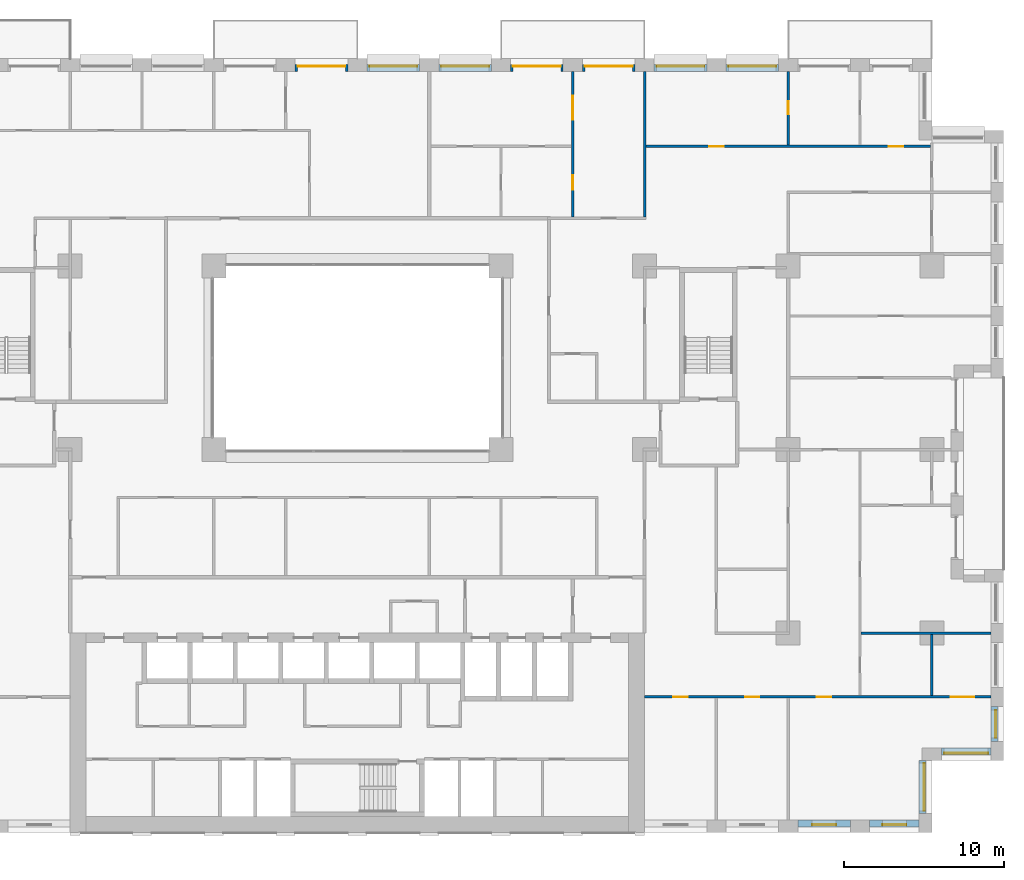
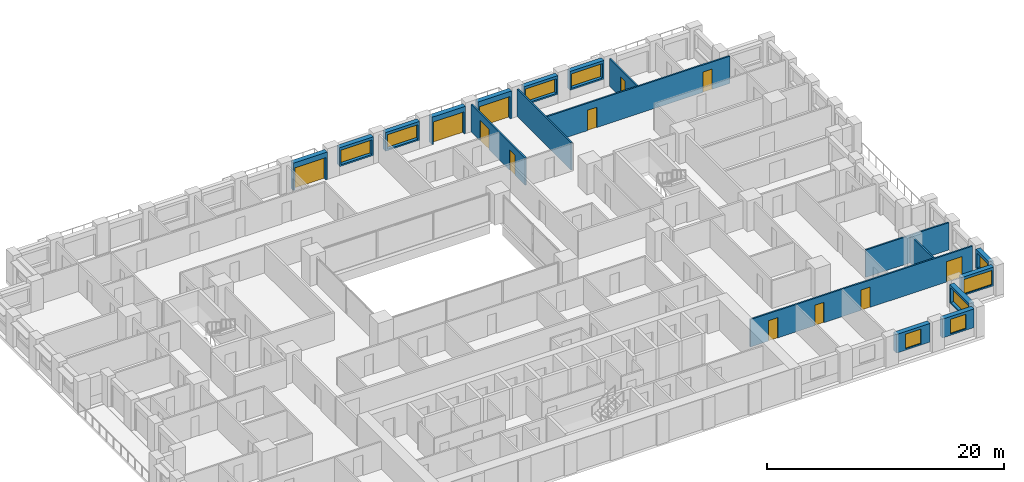
# One storey, part 16 of 20: 19 walls, 12 doors, 9 windows, 21 openings.
"""IFC4 building model written with IfcOpenShell, lengths in metres."""

import ifcopenshell
import ifcopenshell.guid

model = None  # the IFC model being written
_history = None  # IfcOwnerHistory: only IFC2X3 demands one
_inside = {}  # id of a spatial element -> (the spatial element, [elements in it])
_under = {}  # id of a project, library or spatial element -> (it, [spatial elements below it])
_declared = {}  # id of a project -> (the project, [libraries it declares])
_typed = {}  # id of a type object -> (the type object, [elements of that type])
_made_of = {}  # id of a material, layer set ... -> (it, [elements and type objects made of it])


def new_model(schema):
    """Start an empty IFC model of exactly this schema.

    Asked for "IFC4X3", IfcOpenShell would pick the latest addendum, in which some entities
    have other attributes; the version numbers below select the first issue.
    IFC2X3 requires an IfcOwnerHistory on every rooted entity: one is made here for all.
    """
    global model, _history
    if schema == "IFC4X3":
        model = ifcopenshell.file(schema_version=(4, 3, 0, 0))
    else:
        model = ifcopenshell.file(schema=schema)
    _inside.clear()
    _under.clear()
    _declared.clear()
    _typed.clear()
    _made_of.clear()
    _history = None
    if model.schema == "IFC2X3":
        org = make("IfcOrganization", Name="unknown")
        user = make(
            "IfcPersonAndOrganization",
            ThePerson=make("IfcPerson", FamilyName="unknown"),
            TheOrganization=org,
        )
        app = make(
            "IfcApplication",
            ApplicationDeveloper=org,
            Version="unknown",
            ApplicationFullName="unknown",
            ApplicationIdentifier="unknown",
        )
        _history = make(
            "IfcOwnerHistory",
            OwningUser=user,
            OwningApplication=app,
            ChangeAction="ADDED",
            CreationDate=0,
        )
    return model


def make(cls, **values):
    """One entity of the class cls with the attributes given. An attribute that is None is left unset."""
    return model.create_entity(
        cls, **{name: value for name, value in values.items() if value is not None}
    )


def rooted(cls, **values):
    """An entity with a GlobalId (a new one), such as an element, a storey or a relation."""
    return make(cls, GlobalId=ifcopenshell.guid.new(), OwnerHistory=_history, **values)


def si_unit(unit_type, name, prefix=None):
    """IfcSIUnit, for example si_unit("LENGTHUNIT", "METRE", prefix="MILLI")."""
    return make("IfcSIUnit", UnitType=unit_type, Prefix=prefix, Name=name)


def assignment(units):
    """IfcUnitAssignment: the units of a project."""
    return None if units is None else make("IfcUnitAssignment", Units=units)


def point(xyz):
    """IfcCartesianPoint."""
    return None if xyz is None else make("IfcCartesianPoint", Coordinates=xyz)


def direction(xyz):
    """IfcDirection."""
    return None if xyz is None else make("IfcDirection", DirectionRatios=xyz)


def frame(location, z_axis=None, x_axis=None):
    """IfcAxis2Placement3D, a coordinate frame: its origin and axes. An axis left out is left unset."""
    return make(
        "IfcAxis2Placement3D",
        Location=point(location),
        Axis=direction(z_axis),
        RefDirection=direction(x_axis),
    )


def frame_2d(location, x_axis=None):
    """IfcAxis2Placement2D, a coordinate frame in the plane: its origin and x axis."""
    return make(
        "IfcAxis2Placement2D", Location=point(location), RefDirection=direction(x_axis)
    )


def origin():
    """The frame at (0, 0, 0) with its axes left unset."""
    return frame((0.0, 0.0, 0.0))


def place(relative_to, where):
    """IfcLocalPlacement: puts the frame where relative to a parent placement (None: the world)."""
    return make(
        "IfcLocalPlacement", PlacementRelTo=relative_to, RelativePlacement=where
    )


def context(
    kind, dimensions, precision=None, world=None, true_north=None, identifier=None
):
    """IfcGeometricRepresentationContext, for example the 3D "Model" context."""
    return make(
        "IfcGeometricRepresentationContext",
        ContextIdentifier=identifier,
        ContextType=kind,
        CoordinateSpaceDimension=dimensions,
        Precision=precision,
        WorldCoordinateSystem=world,
        TrueNorth=true_north,
    )


def subcontext(parent, identifier, kind, view, scale=None):
    """IfcGeometricRepresentationSubContext, for example "Body" below "Model"."""
    return make(
        "IfcGeometricRepresentationSubContext",
        ContextIdentifier=identifier,
        ContextType=kind,
        ParentContext=parent,
        TargetScale=scale,
        TargetView=view,
    )


def project(units=None, contexts=None):
    """IfcProject with its units and contexts."""
    return rooted(
        "IfcProject",
        Name="project",
        RepresentationContexts=contexts,
        UnitsInContext=assignment(units),
    )


def spatial(cls, under=None, at=None, **own):
    """A site, building, storey or space (cls), placed at a placement, below another one or the project."""
    s = rooted(cls, ObjectPlacement=at, **own)
    if under is not None:
        _under.setdefault(under.id(), (under, []))[1].append(s)
    return s


def profile(cls, at=None, kind="AREA", **sizes):
    """A parametric profile (cls). Its sizes go by their IFC names, for example OverallWidth=200.0."""
    return make(cls, ProfileType=kind, Position=at, **sizes)


def rectangle(**sizes):
    """IfcRectangleProfileDef."""
    return profile("IfcRectangleProfileDef", **sizes)


def extrude(swept, where, along, depth):
    """IfcExtrudedAreaSolid: the profile swept, set in the frame where, extruded along a direction by depth."""
    return make(
        "IfcExtrudedAreaSolid",
        SweptArea=swept,
        Position=where,
        ExtrudedDirection=direction(along),
        Depth=depth,
    )


def shape(context_of_items, identifier, shape_type, items):
    """IfcShapeRepresentation: the items that make up one representation, for example the "Body"."""
    return make(
        "IfcShapeRepresentation",
        ContextOfItems=context_of_items,
        RepresentationIdentifier=identifier,
        RepresentationType=shape_type,
        Items=items,
    )


def material(Name=None, Category=None):
    """IfcMaterial."""
    return make("IfcMaterial", Name=Name, Category=Category)


def layer(
    of_material, thickness, ventilated=None, Name=None, Category=None, Priority=None
):
    """IfcMaterialLayer: one layer of a wall or slab, of a material (None: an air gap)."""
    return make(
        "IfcMaterialLayer",
        Material=of_material,
        LayerThickness=thickness,
        IsVentilated=ventilated,
        Name=Name,
        Category=Category,
        Priority=Priority,
    )


def layer_set(layers, Name=None):
    """IfcMaterialLayerSet."""
    return make("IfcMaterialLayerSet", MaterialLayers=layers, LayerSetName=Name)


def made_of(thing, what):
    """Note that an element or type object is made of a material, layer set ...; save() writes the relation."""
    if what is not None:
        _made_of.setdefault(what.id(), (what, []))[1].append(thing)
    return thing


def type_object(cls, material=None, **own):
    """A type object (cls), such as IfcWallType, which elements share."""
    return made_of(rooted(cls, **own), material)


def element(
    cls,
    number,
    at=None,
    inside=None,
    cuts=None,
    type_object=None,
    material=None,
    context=None,
    identifier="Body",
    shape_type=None,
    held_by="IfcProductDefinitionShape",
    body=None,
    shapes=None,
    **own,
):
    """One element of the class cls, such as IfcWall. Its Tag is "e" and its number.

    at: its placement. inside: the storey or other place that contains it. cuts: it is an
    opening in that element (IfcRelVoidsElement). A single representation is given by context,
    identifier, shape_type and body (its items); several are given by shapes. held_by: the class
    of the entity that holds the representations. save() writes the other relations.
    """
    e = rooted(cls, Tag="e%d" % number, ObjectPlacement=at, **own)
    if body is not None:
        shapes = [shape(context, identifier, shape_type, body)]
    if shapes is not None:
        e.Representation = make(held_by, Representations=shapes)
    if inside is not None:
        _inside.setdefault(inside.id(), (inside, []))[1].append(e)
    if cuts is not None:
        rooted(
            "IfcRelVoidsElement", RelatingBuildingElement=cuts, RelatedOpeningElement=e
        )
    if type_object is not None:
        _typed.setdefault(type_object.id(), (type_object, []))[1].append(e)
    return made_of(e, material)


def fill(opening, filler):
    """IfcRelFillsElement: the door or window that sits in an opening."""
    return rooted(
        "IfcRelFillsElement",
        RelatingOpeningElement=opening,
        RelatedBuildingElement=filler,
    )


def aggregate(whole, parts):
    """IfcRelAggregates: a whole, such as a stair, and the parts it consists of."""
    return rooted("IfcRelAggregates", RelatingObject=whole, RelatedObjects=parts)


def save(model, path):
    """Write the relations noted so far, then the file.

    IfcRelAggregates (storeys below a building ...), IfcRelContainedInSpatialStructure (elements
    in a storey), IfcRelDefinesByType, IfcRelAssociatesMaterial and IfcRelDeclares: one each for
    every whole, place, type object, material and project.
    """
    for whole, parts in _under.values():
        aggregate(whole, parts)
    for where, things in _inside.values():
        rooted(
            "IfcRelContainedInSpatialStructure",
            RelatedElements=things,
            RelatingStructure=where,
        )
    for kind, things in _typed.values():
        rooted("IfcRelDefinesByType", RelatedObjects=things, RelatingType=kind)
    for what, things in _made_of.values():
        rooted("IfcRelAssociatesMaterial", RelatedObjects=things, RelatingMaterial=what)
    for by, libraries in _declared.values():
        rooted("IfcRelDeclares", RelatingContext=by, RelatedDefinitions=libraries)
    model.write(path)


model = new_model("IFC4")

# Units and contexts
model_context = context("Model", 3, precision=1e-05, world=origin(), true_north=direction((0.0, 1.0)))
body_context = subcontext(model_context, "Body", "Model", "MODEL_VIEW")
ifc_project = project(units=[si_unit("LENGTHUNIT", "METRE"), si_unit("AREAUNIT", "SQUARE_METRE"), si_unit("VOLUMEUNIT", "CUBIC_METRE"), si_unit("PLANEANGLEUNIT", "RADIAN"), si_unit("MASSUNIT", "GRAM", prefix="KILO")], contexts=[model_context])

# Site, building, storey
site_placement = place(None, origin())
site = spatial("IfcSite", under=ifc_project, at=site_placement, CompositionType="ELEMENT")
building_placement = place(site_placement, origin())
building = spatial("IfcBuilding", under=site, at=building_placement, Name="Brigalow Station Residences", CompositionType="ELEMENT")
storey_placement = place(building_placement, frame((0.0, 0.0, 41.550048828125)))
storey = spatial("IfcBuildingStorey", under=building, at=storey_placement, Name="L11", CompositionType="ELEMENT", Elevation=41.550048828125)

# Wall, opening, window
ifc_material_1 = material(Name="Clay brick masonry", Category="masonry")
ifc_layer_1 = layer(ifc_material_1, 0.449951171875)
ifc_layer_set_1 = layer_set([ifc_layer_1], Name="BRICK INFILL WALL 450")
wall_type_1 = type_object("IfcWallType", Name="BRICK INFILL WALL 450", PredefinedType="SOLIDWALL", material=ifc_layer_set_1)
wall_1_placement = place(storey_placement, frame((63.60009765625, 0.574951171875, 0.89990234375), z_axis=(0.0, 0.0, 1.0), x_axis=(1.0, 0.0, 0.0)))
wall_1 = element("IfcWall", 1, at=wall_1_placement, inside=storey, type_object=wall_type_1, Name="L11/ewall/W-L11-7", PredefinedType="SOLIDWALL", context=body_context, shape_type="SweptSolid", body=[
    extrude(rectangle(XDim=3.2998046875, YDim=0.449951171875, at=frame_2d((1.64990234375, 0.0))), origin(), (0.0, 0.0, 1.0), 1.929931640625),
])
opening_1_placement = place(wall_1_placement, frame((0.89990234375, 0.0, 0.14990234375)))
opening_1 = element("IfcOpeningElement", 2, at=opening_1_placement, cuts=wall_1, Name="Opening WT-1", PredefinedType="OPENING", context=body_context, shape_type="SweptSolid", body=[
    extrude(rectangle(XDim=1.5, YDim=1.5, at=frame_2d((0.75, 0.75))), frame((0.0, 0.23486328125, 0.0), z_axis=(0.0, -1.0, 0.0), x_axis=(1.0, 0.0, 0.0)), (0.0, 0.0, 1.0), 0.469970703125),
])
ifc_material_2 = material(Name="Anodised aluminium frame with double glazing", Category="aluminium")
window_type_1 = type_object("IfcWindowType", Name="WINDOW 1500x1500", PartitioningType="SINGLE_PANEL", PredefinedType="WINDOW", material=ifc_material_2)
window_1_placement = place(opening_1_placement, origin())
window_1 = element("IfcWindow", 3, at=window_1_placement, inside=storey, type_object=window_type_1, Name="L11/window/W-L11-7", OverallHeight=1.5, OverallWidth=1.5, PartitioningType="SINGLE_PANEL", PredefinedType="WINDOW", context=body_context, shape_type="SweptSolid", body=[
    extrude(rectangle(XDim=1.5, YDim=1.5, at=frame_2d((0.75, 0.75))), frame((0.0, -0.06494140625, 0.0), z_axis=(0.0, -1.0, 0.0), x_axis=(1.0, 0.0, 0.0)), (0.0, 0.0, 1.0), 0.06005859375),
])
fill(opening_1, window_1)

wall_2_placement = place(storey_placement, frame((68.10009765625, 0.574951171875, 0.89990234375), z_axis=(0.0, 0.0, 1.0), x_axis=(1.0, 0.0, 0.0)))
wall_2 = element("IfcWall", 4, at=wall_2_placement, inside=storey, type_object=wall_type_1, Name="L11/ewall/W-L11-8", PredefinedType="SOLIDWALL", context=body_context, shape_type="SweptSolid", body=[
    extrude(rectangle(XDim=3.099853515625, YDim=0.449951171875, at=frame_2d((1.5498046875, 0.0))), origin(), (0.0, 0.0, 1.0), 1.929931640625),
])
opening_2_placement = place(wall_2_placement, frame((0.800048828125, 0.0, 0.14990234375)))
opening_2 = element("IfcOpeningElement", 5, at=opening_2_placement, cuts=wall_2, Name="Opening WT-1", PredefinedType="OPENING", context=body_context, shape_type="SweptSolid", body=[
    extrude(rectangle(XDim=1.5, YDim=1.5, at=frame_2d((0.75, 0.75))), frame((0.0, 0.23486328125, 0.0), z_axis=(0.0, -1.0, 0.0), x_axis=(1.0, 0.0, 0.0)), (0.0, 0.0, 1.0), 0.469970703125),
])
window_2_placement = place(opening_2_placement, origin())
window_2 = element("IfcWindow", 6, at=window_2_placement, inside=storey, type_object=window_type_1, Name="L11/window/W-L11-8", OverallHeight=1.5, OverallWidth=1.5, PartitioningType="SINGLE_PANEL", PredefinedType="WINDOW", context=body_context, shape_type="SweptSolid", body=[
    extrude(rectangle(XDim=1.5, YDim=1.5, at=frame_2d((0.75, 0.75))), frame((0.0, -0.06494140625, 0.0), z_axis=(0.0, -1.0, 0.0), x_axis=(1.0, 0.0, 0.0)), (0.0, 0.0, 1.0), 0.06005859375),
])
fill(opening_2, window_2)

wall_3_placement = place(storey_placement, frame((71.425048828125, 1.199951171875, 0.89990234375), z_axis=(0.0, 0.0, 1.0), x_axis=(0.0, 1.0, 0.0)))
wall_3 = element("IfcWall", 7, at=wall_3_placement, inside=storey, type_object=wall_type_1, Name="L11/ewall/W-L11-9", PredefinedType="SOLIDWALL", context=body_context, shape_type="SweptSolid", body=[
    extrude(rectangle(XDim=3.300048828125, YDim=0.449951171875, at=frame_2d((1.64990234375, 0.0))), origin(), (0.0, 0.0, 1.0), 1.929931640625),
])
opening_3_placement = place(wall_3_placement, frame((0.14990234375, 0.0, 0.14990234375)))
opening_3 = element("IfcOpeningElement", 8, at=opening_3_placement, cuts=wall_3, Name="Opening WT-2", PredefinedType="OPENING", context=body_context, shape_type="SweptSolid", body=[
    extrude(rectangle(XDim=3.0, YDim=1.5, at=frame_2d((1.5, 0.75))), frame((0.0, 0.23486328125, 0.0), z_axis=(0.0, -1.0, 0.0), x_axis=(1.0, 0.0, 0.0)), (0.0, 0.0, 1.0), 0.469970703125),
])
ifc_material_3 = material(Name="Anodised aluminium frame with double glazing", Category="aluminium")
window_type_2 = type_object("IfcWindowType", Name="WINDOW 3000x1500", PartitioningType="SINGLE_PANEL", PredefinedType="WINDOW", material=ifc_material_3)
window_3_placement = place(opening_3_placement, origin())
window_3 = element("IfcWindow", 9, at=window_3_placement, inside=storey, type_object=window_type_2, Name="L11/window/W-L11-9", OverallHeight=1.5, OverallWidth=3.0, PartitioningType="SINGLE_PANEL", PredefinedType="WINDOW", context=body_context, shape_type="SweptSolid", body=[
    extrude(rectangle(XDim=3.0, YDim=1.5, at=frame_2d((1.5, 0.75))), frame((0.0, -0.06494140625, 0.0), z_axis=(0.0, -1.0, 0.0), x_axis=(1.0, 0.0, 0.0)), (0.0, 0.0, 1.0), 0.06005859375),
])
fill(opening_3, window_3)

wall_4_placement = place(storey_placement, frame((72.60009765625, 5.074951171875, 0.89990234375), z_axis=(0.0, 0.0, 1.0), x_axis=(1.0, 0.0, 0.0)))
wall_4 = element("IfcWall", 10, at=wall_4_placement, inside=storey, type_object=wall_type_1, Name="L11/ewall/W-L11-10", PredefinedType="SOLIDWALL", context=body_context, shape_type="SweptSolid", body=[
    extrude(rectangle(XDim=3.099853515625, YDim=0.449951171875, at=frame_2d((1.5498046875, 0.0))), origin(), (0.0, 0.0, 1.0), 1.929931640625),
])
opening_4_placement = place(wall_4_placement, frame((0.175048828125, 0.0, 0.14990234375)))
opening_4 = element("IfcOpeningElement", 11, at=opening_4_placement, cuts=wall_4, Name="Opening WT-3", PredefinedType="OPENING", context=body_context, shape_type="SweptSolid", body=[
    extrude(rectangle(XDim=2.75, YDim=1.5, at=frame_2d((1.375, 0.75))), frame((0.0, 0.23486328125, 0.0), z_axis=(0.0, -1.0, 0.0), x_axis=(1.0, 0.0, 0.0)), (0.0, 0.0, 1.0), 0.469970703125),
])
ifc_material_4 = material(Name="Anodised aluminium frame with double glazing", Category="aluminium")
window_type_3 = type_object("IfcWindowType", Name="WINDOW 2750x1500", PartitioningType="SINGLE_PANEL", PredefinedType="WINDOW", material=ifc_material_4)
window_4_placement = place(opening_4_placement, origin())
window_4 = element("IfcWindow", 12, at=window_4_placement, inside=storey, type_object=window_type_3, Name="L11/window/W-L11-10", OverallHeight=1.5, OverallWidth=2.75, PartitioningType="SINGLE_PANEL", PredefinedType="WINDOW", context=body_context, shape_type="SweptSolid", body=[
    extrude(rectangle(XDim=2.75, YDim=1.5, at=frame_2d((1.375, 0.75))), frame((0.0, -0.06494140625, 0.0), z_axis=(0.0, -1.0, 0.0), x_axis=(1.0, 0.0, 0.0)), (0.0, 0.0, 1.0), 0.06005859375),
])
fill(opening_4, window_4)

wall_5_placement = place(storey_placement, frame((75.925048828125, 5.699951171875, 0.89990234375), z_axis=(0.0, 0.0, 1.0), x_axis=(0.0, 1.0, 0.0)))
wall_5 = element("IfcWall", 13, at=wall_5_placement, inside=storey, type_object=wall_type_1, Name="L11/ewall/W-L11-11", PredefinedType="SOLIDWALL", context=body_context, shape_type="SweptSolid", body=[
    extrude(rectangle(XDim=2.199951171875, YDim=0.449951171875, at=frame_2d((1.10009765625, 0.0))), origin(), (0.0, 0.0, 1.0), 1.929931640625),
])
opening_5_placement = place(wall_5_placement, frame((0.22509765625, 0.0, 0.14990234375)))
opening_5 = element("IfcOpeningElement", 14, at=opening_5_placement, cuts=wall_5, Name="Opening WT-4", PredefinedType="OPENING", context=body_context, shape_type="SweptSolid", body=[
    extrude(rectangle(XDim=1.75, YDim=1.5, at=frame_2d((0.875, 0.75))), frame((0.0, 0.23486328125, 0.0), z_axis=(0.0, -1.0, 0.0), x_axis=(1.0, 0.0, 0.0)), (0.0, 0.0, 1.0), 0.469970703125),
])
ifc_material_5 = material(Name="Anodised aluminium frame with double glazing", Category="aluminium")
window_type_4 = type_object("IfcWindowType", Name="WINDOW 1750x1500", PartitioningType="SINGLE_PANEL", PredefinedType="WINDOW", material=ifc_material_5)
window_5_placement = place(opening_5_placement, origin())
window_5 = element("IfcWindow", 15, at=window_5_placement, inside=storey, type_object=window_type_4, Name="L11/window/W-L11-11", OverallHeight=1.5, OverallWidth=1.75, PartitioningType="SINGLE_PANEL", PredefinedType="WINDOW", context=body_context, shape_type="SweptSolid", body=[
    extrude(rectangle(XDim=1.75, YDim=1.5, at=frame_2d((0.875, 0.75))), frame((0.0, -0.06494140625, 0.0), z_axis=(0.0, -1.0, 0.0), x_axis=(1.0, 0.0, 0.0)), (0.0, 0.0, 1.0), 0.06005859375),
])
fill(opening_5, window_5)

wall_6_placement = place(storey_placement, frame((62.39990234375, 47.925048828125, 0.89990234375), z_axis=(0.0, 0.0, 1.0), x_axis=(-1.0, 0.0, 0.0)))
wall_6 = element("IfcWall", 16, at=wall_6_placement, inside=storey, type_object=wall_type_1, Name="L11/ewall/W-L11-27", PredefinedType="SOLIDWALL", context=body_context, shape_type="SweptSolid", body=[
    extrude(rectangle(XDim=3.2998046875, YDim=0.449951171875, at=frame_2d((1.64990234375, 0.0))), origin(), (0.0, 0.0, 1.0), 1.929931640625),
])
opening_6_placement = place(wall_6_placement, frame((0.14990234375, 0.0, 0.14990234375)))
opening_6 = element("IfcOpeningElement", 17, at=opening_6_placement, cuts=wall_6, Name="Opening WT-2", PredefinedType="OPENING", context=body_context, shape_type="SweptSolid", body=[
    extrude(rectangle(XDim=3.0, YDim=1.5, at=frame_2d((1.5, 0.75))), frame((0.0, 0.23486328125, 0.0), z_axis=(0.0, -1.0, 0.0), x_axis=(1.0, 0.0, 0.0)), (0.0, 0.0, 1.0), 0.469970703125),
])
window_6_placement = place(opening_6_placement, origin())
window_6 = element("IfcWindow", 18, at=window_6_placement, inside=storey, type_object=window_type_2, Name="L11/window/W-L11-27", OverallHeight=1.5, OverallWidth=3.0, PartitioningType="SINGLE_PANEL", PredefinedType="WINDOW", context=body_context, shape_type="SweptSolid", body=[
    extrude(rectangle(XDim=3.0, YDim=1.5, at=frame_2d((1.5, 0.75))), frame((0.0, -0.06494140625, 0.0), z_axis=(0.0, -1.0, 0.0), x_axis=(1.0, 0.0, 0.0)), (0.0, 0.0, 1.0), 0.06005859375),
])
fill(opening_6, window_6)

wall_7_placement = place(storey_placement, frame((57.89990234375, 47.925048828125, 0.89990234375), z_axis=(0.0, 0.0, 1.0), x_axis=(-1.0, 0.0, 0.0)))
wall_7 = element("IfcWall", 19, at=wall_7_placement, inside=storey, type_object=wall_type_1, Name="L11/ewall/W-L11-28", PredefinedType="SOLIDWALL", context=body_context, shape_type="SweptSolid", body=[
    extrude(rectangle(XDim=3.2998046875, YDim=0.449951171875, at=frame_2d((1.64990234375, 0.0))), origin(), (0.0, 0.0, 1.0), 1.929931640625),
])
opening_7_placement = place(wall_7_placement, frame((0.14990234375, 0.0, 0.14990234375)))
opening_7 = element("IfcOpeningElement", 20, at=opening_7_placement, cuts=wall_7, Name="Opening WT-2", PredefinedType="OPENING", context=body_context, shape_type="SweptSolid", body=[
    extrude(rectangle(XDim=3.0, YDim=1.5, at=frame_2d((1.5, 0.75))), frame((0.0, 0.23486328125, 0.0), z_axis=(0.0, -1.0, 0.0), x_axis=(1.0, 0.0, 0.0)), (0.0, 0.0, 1.0), 0.469970703125),
])
window_7_placement = place(opening_7_placement, origin())
window_7 = element("IfcWindow", 21, at=window_7_placement, inside=storey, type_object=window_type_2, Name="L11/window/W-L11-28", OverallHeight=1.5, OverallWidth=3.0, PartitioningType="SINGLE_PANEL", PredefinedType="WINDOW", context=body_context, shape_type="SweptSolid", body=[
    extrude(rectangle(XDim=3.0, YDim=1.5, at=frame_2d((1.5, 0.75))), frame((0.0, -0.06494140625, 0.0), z_axis=(0.0, -1.0, 0.0), x_axis=(1.0, 0.0, 0.0)), (0.0, 0.0, 1.0), 0.06005859375),
])
fill(opening_7, window_7)

# Wall, opening, door
wall_8_placement = place(storey_placement, frame((53.39990234375, 47.925048828125, 0.0), z_axis=(0.0, 0.0, 1.0), x_axis=(-1.0, 0.0, 0.0)))
wall_8 = element("IfcWall", 22, at=wall_8_placement, inside=storey, type_object=wall_type_1, Name="L11/ewall/W-L11-29", PredefinedType="SOLIDWALL", context=body_context, shape_type="SweptSolid", body=[
    extrude(rectangle(XDim=3.2998046875, YDim=0.449951171875, at=frame_2d((1.64990234375, 0.0))), origin(), (0.0, 0.0, 1.0), 2.829833984375),
])
opening_8_placement = place(wall_8_placement, frame((0.14990234375, 0.0, 0.0)))
opening_8 = element("IfcOpeningElement", 23, at=opening_8_placement, cuts=wall_8, Name="Opening D-B3000", PredefinedType="OPENING", context=body_context, shape_type="SweptSolid", body=[
    extrude(rectangle(XDim=3.0, YDim=2.300048828125, at=frame_2d((1.5, 1.14990234375))), frame((0.0, 0.23486328125, 0.0), z_axis=(0.0, -1.0, 0.0), x_axis=(1.0, 0.0, 0.0)), (0.0, 0.0, 1.0), 0.469970703125),
])
ifc_material_6 = material(Name="Anodised aluminium frame with double glazing", Category="aluminium")
door_type_1 = type_object("IfcDoorType", Name="BALCONY SLIDING DOOR 3000x2300", OperationType="SLIDING_TO_LEFT", PredefinedType="DOOR", material=ifc_material_6)
door_1_placement = place(opening_8_placement, origin())
door_1 = element("IfcDoor", 24, at=door_1_placement, inside=storey, type_object=door_type_1, Name="L11/balcony-door/W-L11-29", OperationType="SLIDING_TO_LEFT", OverallHeight=2.300048828125, OverallWidth=3.0, PredefinedType="DOOR", context=body_context, shape_type="SweptSolid", body=[
    extrude(rectangle(XDim=3.0, YDim=2.300048828125, at=frame_2d((1.5, 1.14990234375))), frame((0.0, -0.06982421875, 0.0), z_axis=(0.0, -1.0, 0.0), x_axis=(1.0, 0.0, 0.0)), (0.0, 0.0, 1.0), 0.050048828125),
])
fill(opening_8, door_1)

wall_9_placement = place(storey_placement, frame((48.89990234375, 47.925048828125, 0.0), z_axis=(0.0, 0.0, 1.0), x_axis=(-1.0, 0.0, 0.0)))
wall_9 = element("IfcWall", 25, at=wall_9_placement, inside=storey, type_object=wall_type_1, Name="L11/ewall/W-L11-30", PredefinedType="SOLIDWALL", context=body_context, shape_type="SweptSolid", body=[
    extrude(rectangle(XDim=3.2998046875, YDim=0.449951171875, at=frame_2d((1.64990234375, 0.0))), origin(), (0.0, 0.0, 1.0), 2.829833984375),
])
opening_9_placement = place(wall_9_placement, frame((0.14990234375, 0.0, 0.0)))
opening_9 = element("IfcOpeningElement", 26, at=opening_9_placement, cuts=wall_9, Name="Opening D-B3000", PredefinedType="OPENING", context=body_context, shape_type="SweptSolid", body=[
    extrude(rectangle(XDim=3.0, YDim=2.300048828125, at=frame_2d((1.5, 1.14990234375))), frame((0.0, 0.23486328125, 0.0), z_axis=(0.0, -1.0, 0.0), x_axis=(1.0, 0.0, 0.0)), (0.0, 0.0, 1.0), 0.469970703125),
])
door_2_placement = place(opening_9_placement, origin())
door_2 = element("IfcDoor", 27, at=door_2_placement, inside=storey, type_object=door_type_1, Name="L11/balcony-door/W-L11-30", OperationType="SLIDING_TO_LEFT", OverallHeight=2.300048828125, OverallWidth=3.0, PredefinedType="DOOR", context=body_context, shape_type="SweptSolid", body=[
    extrude(rectangle(XDim=3.0, YDim=2.300048828125, at=frame_2d((1.5, 1.14990234375))), frame((0.0, -0.06982421875, 0.0), z_axis=(0.0, -1.0, 0.0), x_axis=(1.0, 0.0, 0.0)), (0.0, 0.0, 1.0), 0.050048828125),
])
fill(opening_9, door_2)

# Wall, opening, window
wall_10_placement = place(storey_placement, frame((44.39990234375, 47.925048828125, 0.89990234375), z_axis=(0.0, 0.0, 1.0), x_axis=(-1.0, 0.0, 0.0)))
wall_10 = element("IfcWall", 28, at=wall_10_placement, inside=storey, type_object=wall_type_1, Name="L11/ewall/W-L11-31", PredefinedType="SOLIDWALL", context=body_context, shape_type="SweptSolid", body=[
    extrude(rectangle(XDim=3.2998046875, YDim=0.449951171875, at=frame_2d((1.64990234375, 0.0))), origin(), (0.0, 0.0, 1.0), 1.929931640625),
])
opening_10_placement = place(wall_10_placement, frame((0.14990234375, 0.0, 0.14990234375)))
opening_10 = element("IfcOpeningElement", 29, at=opening_10_placement, cuts=wall_10, Name="Opening WT-2", PredefinedType="OPENING", context=body_context, shape_type="SweptSolid", body=[
    extrude(rectangle(XDim=3.0, YDim=1.5, at=frame_2d((1.5, 0.75))), frame((0.0, 0.23486328125, 0.0), z_axis=(0.0, -1.0, 0.0), x_axis=(1.0, 0.0, 0.0)), (0.0, 0.0, 1.0), 0.469970703125),
])
window_8_placement = place(opening_10_placement, origin())
window_8 = element("IfcWindow", 30, at=window_8_placement, inside=storey, type_object=window_type_2, Name="L11/window/W-L11-31", OverallHeight=1.5, OverallWidth=3.0, PartitioningType="SINGLE_PANEL", PredefinedType="WINDOW", context=body_context, shape_type="SweptSolid", body=[
    extrude(rectangle(XDim=3.0, YDim=1.5, at=frame_2d((1.5, 0.75))), frame((0.0, -0.06494140625, 0.0), z_axis=(0.0, -1.0, 0.0), x_axis=(1.0, 0.0, 0.0)), (0.0, 0.0, 1.0), 0.06005859375),
])
fill(opening_10, window_8)

wall_11_placement = place(storey_placement, frame((39.89990234375, 47.925048828125, 0.89990234375), z_axis=(0.0, 0.0, 1.0), x_axis=(-1.0, 0.0, 0.0)))
wall_11 = element("IfcWall", 31, at=wall_11_placement, inside=storey, type_object=wall_type_1, Name="L11/ewall/W-L11-32", PredefinedType="SOLIDWALL", context=body_context, shape_type="SweptSolid", body=[
    extrude(rectangle(XDim=3.2998046875, YDim=0.449951171875, at=frame_2d((1.64990234375, 0.0))), origin(), (0.0, 0.0, 1.0), 1.929931640625),
])
opening_11_placement = place(wall_11_placement, frame((0.14990234375, 0.0, 0.14990234375)))
opening_11 = element("IfcOpeningElement", 32, at=opening_11_placement, cuts=wall_11, Name="Opening WT-2", PredefinedType="OPENING", context=body_context, shape_type="SweptSolid", body=[
    extrude(rectangle(XDim=3.0, YDim=1.5, at=frame_2d((1.5, 0.75))), frame((0.0, 0.23486328125, 0.0), z_axis=(0.0, -1.0, 0.0), x_axis=(1.0, 0.0, 0.0)), (0.0, 0.0, 1.0), 0.469970703125),
])
window_9_placement = place(opening_11_placement, origin())
window_9 = element("IfcWindow", 33, at=window_9_placement, inside=storey, type_object=window_type_2, Name="L11/window/W-L11-32", OverallHeight=1.5, OverallWidth=3.0, PartitioningType="SINGLE_PANEL", PredefinedType="WINDOW", context=body_context, shape_type="SweptSolid", body=[
    extrude(rectangle(XDim=3.0, YDim=1.5, at=frame_2d((1.5, 0.75))), frame((0.0, -0.06494140625, 0.0), z_axis=(0.0, -1.0, 0.0), x_axis=(1.0, 0.0, 0.0)), (0.0, 0.0, 1.0), 0.06005859375),
])
fill(opening_11, window_9)

# Wall, opening, door
wall_12_placement = place(storey_placement, frame((35.39990234375, 47.925048828125, 0.0), z_axis=(0.0, 0.0, 1.0), x_axis=(-1.0, 0.0, 0.0)))
wall_12 = element("IfcWall", 34, at=wall_12_placement, inside=storey, type_object=wall_type_1, Name="L11/ewall/W-L11-33", PredefinedType="SOLIDWALL", context=body_context, shape_type="SweptSolid", body=[
    extrude(rectangle(XDim=3.2998046875, YDim=0.449951171875, at=frame_2d((1.64990234375, 0.0))), origin(), (0.0, 0.0, 1.0), 2.829833984375),
])
opening_12_placement = place(wall_12_placement, frame((0.14990234375, 0.0, 0.0)))
opening_12 = element("IfcOpeningElement", 35, at=opening_12_placement, cuts=wall_12, Name="Opening D-B3000", PredefinedType="OPENING", context=body_context, shape_type="SweptSolid", body=[
    extrude(rectangle(XDim=3.0, YDim=2.300048828125, at=frame_2d((1.5, 1.14990234375))), frame((0.0, 0.23486328125, 0.0), z_axis=(0.0, -1.0, 0.0), x_axis=(1.0, 0.0, 0.0)), (0.0, 0.0, 1.0), 0.469970703125),
])
door_3_placement = place(opening_12_placement, origin())
door_3 = element("IfcDoor", 36, at=door_3_placement, inside=storey, type_object=door_type_1, Name="L11/balcony-door/W-L11-33", OperationType="SLIDING_TO_LEFT", OverallHeight=2.300048828125, OverallWidth=3.0, PredefinedType="DOOR", context=body_context, shape_type="SweptSolid", body=[
    extrude(rectangle(XDim=3.0, YDim=2.300048828125, at=frame_2d((1.5, 1.14990234375))), frame((0.0, -0.06982421875, 0.0), z_axis=(0.0, -1.0, 0.0), x_axis=(1.0, 0.0, 0.0)), (0.0, 0.0, 1.0), 0.050048828125),
])
fill(opening_12, door_3)

# Wall, openings, doors
ifc_material_7 = material(Name="Plasterboard on steel stud partition", Category="steel")
ifc_layer_2 = layer(ifc_material_7, 0.14990234375)
ifc_layer_set_2 = layer_set([ifc_layer_2], Name="FLAT PARTITION 150")
wall_type_2 = type_object("IfcWallType", Name="FLAT PARTITION 150", PredefinedType="PARTITIONING", material=ifc_layer_set_2)
wall_13_placement = place(storey_placement, frame((54.0, 8.5, 0.0), z_axis=(0.0, 0.0, 1.0), x_axis=(1.0, 0.0, 0.0)))
wall_13 = element("IfcWall", 37, at=wall_13_placement, inside=storey, type_object=wall_type_2, Name="PW-1C13", PredefinedType="PARTITIONING", context=body_context, shape_type="SweptSolid", body=[
    extrude(rectangle(XDim=21.699951171875, YDim=0.14990234375, at=frame_2d((10.85009765625, 0.0))), origin(), (0.0, 0.0, 1.0), 2.829833984375),
])
opening_13_placement = place(wall_13_placement, frame((6.300048828125, 0.0, 0.0)))
opening_13 = element("IfcOpeningElement", 38, at=opening_13_placement, cuts=wall_13, Name="Opening D-1C51", PredefinedType="OPENING", context=body_context, shape_type="SweptSolid", body=[
    extrude(rectangle(XDim=0.89990234375, YDim=2.10009765625, at=frame_2d((0.449951171875, 1.050048828125))), frame((0.0, 0.0849609375, 0.0), z_axis=(0.0, -1.0, 0.0), x_axis=(1.0, 0.0, 0.0)), (0.0, 0.0, 1.0), 0.169921875),
])
opening_14_placement = place(wall_13_placement, frame((1.800048828125, 0.0, 0.0)))
opening_14 = element("IfcOpeningElement", 39, at=opening_14_placement, cuts=wall_13, Name="Opening D-1C57", PredefinedType="OPENING", context=body_context, shape_type="SweptSolid", body=[
    extrude(rectangle(XDim=0.89990234375, YDim=2.10009765625, at=frame_2d((0.449951171875, 1.050048828125))), frame((0.0, 0.0849609375, 0.0), z_axis=(0.0, -1.0, 0.0), x_axis=(1.0, 0.0, 0.0)), (0.0, 0.0, 1.0), 0.169921875),
])
opening_15_placement = place(wall_13_placement, frame((10.800048828125, 0.0, 0.0)))
opening_15 = element("IfcOpeningElement", 40, at=opening_15_placement, cuts=wall_13, Name="Opening D-1C58", PredefinedType="OPENING", context=body_context, shape_type="SweptSolid", body=[
    extrude(rectangle(XDim=0.89990234375, YDim=2.10009765625, at=frame_2d((0.449951171875, 1.050048828125))), frame((0.0, 0.0849609375, 0.0), z_axis=(0.0, -1.0, 0.0), x_axis=(1.0, 0.0, 0.0)), (0.0, 0.0, 1.0), 0.169921875),
])
opening_16_placement = place(wall_13_placement, frame((19.175048828125, 0.0, 0.0)))
opening_16 = element("IfcOpeningElement", 41, at=opening_16_placement, cuts=wall_13, Name="Opening D-1C62", PredefinedType="OPENING", context=body_context, shape_type="SweptSolid", body=[
    extrude(rectangle(XDim=1.5, YDim=2.10009765625, at=frame_2d((0.75, 1.050048828125))), frame((0.0, 0.0849609375, 0.0), z_axis=(0.0, -1.0, 0.0), x_axis=(1.0, 0.0, 0.0)), (0.0, 0.0, 1.0), 0.169921875),
])
ifc_material_8 = material(Name="Solid-core timber door leaf", Category="wood")
door_type_2 = type_object("IfcDoorType", Name="INTERNAL DOOR 900 x 2100", OperationType="SINGLE_SWING_LEFT", PredefinedType="DOOR", material=ifc_material_8)
door_4_placement = place(opening_13_placement, frame((0.89990234375, 0.0, 0.0), z_axis=(0.0, 0.0, 1.0), x_axis=(-1.0, 0.0, 0.0)))
door_4 = element("IfcDoor", 42, at=door_4_placement, inside=storey, type_object=door_type_2, Name="D-1C51", OperationType="SINGLE_SWING_LEFT", OverallHeight=2.10009765625, OverallWidth=0.89990234375, PredefinedType="DOOR", context=body_context, shape_type="SweptSolid", body=[
    extrude(rectangle(XDim=0.89990234375, YDim=2.10009765625, at=frame_2d((0.449951171875, 1.050048828125))), frame((0.0, 0.02490234375, 0.0), z_axis=(0.0, -1.0, 0.0), x_axis=(1.0, 0.0, 0.0)), (0.0, 0.0, 1.0), 0.050048828125),
])
fill(opening_13, door_4)
door_5_placement = place(opening_14_placement, frame((0.89990234375, 0.0, 0.0), z_axis=(0.0, 0.0, 1.0), x_axis=(-1.0, 0.0, 0.0)))
door_5 = element("IfcDoor", 43, at=door_5_placement, inside=storey, type_object=door_type_2, Name="D-1C57", OperationType="SINGLE_SWING_LEFT", OverallHeight=2.10009765625, OverallWidth=0.89990234375, PredefinedType="DOOR", context=body_context, shape_type="SweptSolid", body=[
    extrude(rectangle(XDim=0.89990234375, YDim=2.10009765625, at=frame_2d((0.449951171875, 1.050048828125))), frame((0.0, 0.02490234375, 0.0), z_axis=(0.0, -1.0, 0.0), x_axis=(1.0, 0.0, 0.0)), (0.0, 0.0, 1.0), 0.050048828125),
])
fill(opening_14, door_5)
door_6_placement = place(opening_15_placement, frame((0.89990234375, 0.0, 0.0), z_axis=(0.0, 0.0, 1.0), x_axis=(-1.0, 0.0, 0.0)))
door_6 = element("IfcDoor", 44, at=door_6_placement, inside=storey, type_object=door_type_2, Name="D-1C58", OperationType="SINGLE_SWING_RIGHT", OverallHeight=2.10009765625, OverallWidth=0.89990234375, PredefinedType="DOOR", context=body_context, shape_type="SweptSolid", body=[
    extrude(rectangle(XDim=0.89990234375, YDim=2.10009765625, at=frame_2d((0.449951171875, 1.050048828125))), frame((0.0, 0.02490234375, 0.0), z_axis=(0.0, -1.0, 0.0), x_axis=(1.0, 0.0, 0.0)), (0.0, 0.0, 1.0), 0.050048828125),
])
fill(opening_15, door_6)
ifc_material_9 = material(Name="Solid-core timber door leaf", Category="wood")
door_type_3 = type_object("IfcDoorType", Name="INTERNAL DOUBLE DOOR 1500 x 2100", OperationType="DOUBLE_DOOR_SINGLE_SWING", PredefinedType="DOOR", material=ifc_material_9)
door_7_placement = place(opening_16_placement, origin())
door_7 = element("IfcDoor", 45, at=door_7_placement, inside=storey, type_object=door_type_3, Name="D-1C62", OperationType="DOUBLE_DOOR_SINGLE_SWING", OverallHeight=2.10009765625, OverallWidth=1.5, PredefinedType="DOOR", context=body_context, shape_type="SweptSolid", body=[
    extrude(rectangle(XDim=1.5, YDim=2.10009765625, at=frame_2d((0.75, 1.050048828125))), frame((0.0, 0.02490234375, 0.0), z_axis=(0.0, -1.0, 0.0), x_axis=(1.0, 0.0, 0.0)), (0.0, 0.0, 1.0), 0.050048828125),
])
fill(opening_16, door_7)

# Wall
wall_14_placement = place(storey_placement, frame((67.574951171875, 12.5, 0.0), z_axis=(0.0, 0.0, 1.0), x_axis=(1.0, 0.0, 0.0)))
element("IfcWall", 46, at=wall_14_placement, inside=storey, type_object=wall_type_2, Name="PW-1C16", PredefinedType="PARTITIONING", context=body_context, shape_type="SweptSolid", body=[
    extrude(rectangle(XDim=8.125, YDim=0.14990234375, at=frame_2d((4.0625, 0.0))), origin(), (0.0, 0.0, 1.0), 2.829833984375),
])

# Wall, openings, doors
wall_15_placement = place(storey_placement, frame((54.074951171875, 43.0, 0.0), z_axis=(0.0, 0.0, 1.0), x_axis=(1.0, 0.0, 0.0)))
wall_15 = element("IfcWall", 47, at=wall_15_placement, inside=storey, type_object=wall_type_2, Name="PW-1C36", PredefinedType="PARTITIONING", context=body_context, shape_type="SweptSolid", body=[
    extrude(rectangle(XDim=17.85009765625, YDim=0.14990234375, at=frame_2d((8.925048828125, 0.0))), origin(), (0.0, 0.0, 1.0), 2.829833984375),
])
opening_17_placement = place(wall_15_placement, frame((15.22509765625, 0.0, 0.0)))
opening_17 = element("IfcOpeningElement", 48, at=opening_17_placement, cuts=wall_15, Name="Opening D-1C34", PredefinedType="OPENING", context=body_context, shape_type="SweptSolid", body=[
    extrude(rectangle(XDim=0.89990234375, YDim=2.10009765625, at=frame_2d((0.449951171875, 1.050048828125))), frame((0.0, 0.0849609375, 0.0), z_axis=(0.0, -1.0, 0.0), x_axis=(1.0, 0.0, 0.0)), (0.0, 0.0, 1.0), 0.169921875),
])
opening_18_placement = place(wall_15_placement, frame((3.97509765625, 0.0, 0.0)))
opening_18 = element("IfcOpeningElement", 49, at=opening_18_placement, cuts=wall_15, Name="Opening D-1C40", PredefinedType="OPENING", context=body_context, shape_type="SweptSolid", body=[
    extrude(rectangle(XDim=0.89990234375, YDim=2.10009765625, at=frame_2d((0.449951171875, 1.050048828125))), frame((0.0, 0.0849609375, 0.0), z_axis=(0.0, -1.0, 0.0), x_axis=(1.0, 0.0, 0.0)), (0.0, 0.0, 1.0), 0.169921875),
])
door_8_placement = place(opening_17_placement, origin())
door_8 = element("IfcDoor", 50, at=door_8_placement, inside=storey, type_object=door_type_2, Name="D-1C34", OperationType="SINGLE_SWING_RIGHT", OverallHeight=2.10009765625, OverallWidth=0.89990234375, PredefinedType="DOOR", context=body_context, shape_type="SweptSolid", body=[
    extrude(rectangle(XDim=0.89990234375, YDim=2.10009765625, at=frame_2d((0.449951171875, 1.050048828125))), frame((0.0, 0.02490234375, 0.0), z_axis=(0.0, -1.0, 0.0), x_axis=(1.0, 0.0, 0.0)), (0.0, 0.0, 1.0), 0.050048828125),
])
fill(opening_17, door_8)
door_9_placement = place(opening_18_placement, origin())
door_9 = element("IfcDoor", 51, at=door_9_placement, inside=storey, type_object=door_type_2, Name="D-1C40", OperationType="SINGLE_SWING_RIGHT", OverallHeight=2.10009765625, OverallWidth=0.89990234375, PredefinedType="DOOR", context=body_context, shape_type="SweptSolid", body=[
    extrude(rectangle(XDim=0.89990234375, YDim=2.10009765625, at=frame_2d((0.449951171875, 1.050048828125))), frame((0.0, 0.02490234375, 0.0), z_axis=(0.0, -1.0, 0.0), x_axis=(1.0, 0.0, 0.0)), (0.0, 0.0, 1.0), 0.050048828125),
])
fill(opening_18, door_9)

# Wall
wall_16_placement = place(storey_placement, frame((54.0, 38.574951171875, 0.0), z_axis=(0.0, 0.0, 1.0), x_axis=(0.0, 1.0, 0.0)))
element("IfcWall", 52, at=wall_16_placement, inside=storey, type_object=wall_type_2, Name="PW-1C42", PredefinedType="PARTITIONING", context=body_context, shape_type="SweptSolid", body=[
    extrude(rectangle(XDim=9.125, YDim=0.14990234375, at=frame_2d((4.5625, 0.0))), origin(), (0.0, 0.0, 1.0), 2.829833984375),
])

# Wall, opening, door
wall_17_placement = place(storey_placement, frame((63.0, 43.074951171875, 0.0), z_axis=(0.0, 0.0, 1.0), x_axis=(0.0, 1.0, 0.0)))
wall_17 = element("IfcWall", 53, at=wall_17_placement, inside=storey, type_object=wall_type_2, Name="PW-1C72", PredefinedType="PARTITIONING", context=body_context, shape_type="SweptSolid", body=[
    extrude(rectangle(XDim=4.625, YDim=0.14990234375, at=frame_2d((2.3125, 0.0))), origin(), (0.0, 0.0, 1.0), 2.829833984375),
])
opening_19_placement = place(wall_17_placement, frame((1.949951171875, 0.0, 0.0)))
opening_19 = element("IfcOpeningElement", 54, at=opening_19_placement, cuts=wall_17, Name="Opening D-1C38", PredefinedType="OPENING", context=body_context, shape_type="SweptSolid", body=[
    extrude(rectangle(XDim=0.800048828125, YDim=2.10009765625, at=frame_2d((0.39990234375, 1.050048828125))), frame((0.0, 0.0849609375, 0.0), z_axis=(0.0, -1.0, 0.0), x_axis=(1.0, 0.0, 0.0)), (0.0, 0.0, 1.0), 0.169921875),
])
ifc_material_10 = material(Name="Solid-core timber door leaf", Category="wood")
door_type_4 = type_object("IfcDoorType", Name="INTERNAL DOOR 800 x 2100", OperationType="SINGLE_SWING_LEFT", PredefinedType="DOOR", material=ifc_material_10)
door_10_placement = place(opening_19_placement, frame((0.800048828125, 0.0, 0.0), z_axis=(0.0, 0.0, 1.0), x_axis=(-1.0, 0.0, 0.0)))
door_10 = element("IfcDoor", 55, at=door_10_placement, inside=storey, type_object=door_type_4, Name="D-1C38", OperationType="SINGLE_SWING_LEFT", OverallHeight=2.10009765625, OverallWidth=0.800048828125, PredefinedType="DOOR", context=body_context, shape_type="SweptSolid", body=[
    extrude(rectangle(XDim=0.800048828125, YDim=2.10009765625, at=frame_2d((0.39990234375, 1.050048828125))), frame((0.0, 0.02490234375, 0.0), z_axis=(0.0, -1.0, 0.0), x_axis=(1.0, 0.0, 0.0)), (0.0, 0.0, 1.0), 0.050048828125),
])
fill(opening_19, door_10)

# Wall
wall_18_placement = place(storey_placement, frame((72.0, 8.574951171875, 0.0), z_axis=(0.0, 0.0, 1.0), x_axis=(0.0, 1.0, 0.0)))
element("IfcWall", 56, at=wall_18_placement, inside=storey, type_object=wall_type_2, Name="PW-1C74", PredefinedType="PARTITIONING", context=body_context, shape_type="SweptSolid", body=[
    extrude(rectangle(XDim=3.85009765625, YDim=0.14990234375, at=frame_2d((1.925048828125, 0.0))), origin(), (0.0, 0.0, 1.0), 2.829833984375),
])

# Wall, openings, doors
wall_19_placement = place(storey_placement, frame((49.5, 38.574951171875, 0.0), z_axis=(0.0, 0.0, 1.0), x_axis=(0.0, 1.0, 0.0)))
wall_19 = element("IfcWall", 57, at=wall_19_placement, inside=storey, type_object=wall_type_2, Name="PW-1C78", PredefinedType="PARTITIONING", context=body_context, shape_type="SweptSolid", body=[
    extrude(rectangle(XDim=9.125, YDim=0.14990234375, at=frame_2d((4.5625, 0.0))), origin(), (0.0, 0.0, 1.0), 2.829833984375),
])
opening_20_placement = place(wall_19_placement, frame((6.10009765625, 0.0, 0.0)))
opening_20 = element("IfcOpeningElement", 58, at=opening_20_placement, cuts=wall_19, Name="Opening D-1C36", PredefinedType="OPENING", context=body_context, shape_type="SweptSolid", body=[
    extrude(rectangle(XDim=1.5, YDim=2.10009765625, at=frame_2d((0.75, 1.050048828125))), frame((0.0, 0.0849609375, 0.0), z_axis=(0.0, -1.0, 0.0), x_axis=(1.0, 0.0, 0.0)), (0.0, 0.0, 1.0), 0.169921875),
])
opening_21_placement = place(wall_19_placement, frame((1.72509765625, 0.0, 0.0)))
opening_21 = element("IfcOpeningElement", 59, at=opening_21_placement, cuts=wall_19, Name="Opening D-1C47", PredefinedType="OPENING", context=body_context, shape_type="SweptSolid", body=[
    extrude(rectangle(XDim=0.89990234375, YDim=2.10009765625, at=frame_2d((0.449951171875, 1.050048828125))), frame((0.0, 0.0849609375, 0.0), z_axis=(0.0, -1.0, 0.0), x_axis=(1.0, 0.0, 0.0)), (0.0, 0.0, 1.0), 0.169921875),
])
door_11_placement = place(opening_21_placement, origin())
door_11 = element("IfcDoor", 60, at=door_11_placement, inside=storey, type_object=door_type_2, Name="D-1C47", OperationType="SINGLE_SWING_LEFT", OverallHeight=2.10009765625, OverallWidth=0.89990234375, PredefinedType="DOOR", context=body_context, shape_type="SweptSolid", body=[
    extrude(rectangle(XDim=0.89990234375, YDim=2.10009765625, at=frame_2d((0.449951171875, 1.050048828125))), frame((0.0, 0.02490234375, 0.0), z_axis=(0.0, -1.0, 0.0), x_axis=(1.0, 0.0, 0.0)), (0.0, 0.0, 1.0), 0.050048828125),
])
fill(opening_21, door_11)
door_12_placement = place(opening_20_placement, frame((1.5, 0.0, 0.0), z_axis=(0.0, 0.0, 1.0), x_axis=(-1.0, 0.0, 0.0)))
door_12 = element("IfcDoor", 61, at=door_12_placement, inside=storey, type_object=door_type_3, Name="D-1C36", OperationType="DOUBLE_DOOR_SINGLE_SWING", OverallHeight=2.10009765625, OverallWidth=1.5, PredefinedType="DOOR", context=body_context, shape_type="SweptSolid", body=[
    extrude(rectangle(XDim=1.5, YDim=2.10009765625, at=frame_2d((0.75, 1.050048828125))), frame((0.0, 0.02490234375, 0.0), z_axis=(0.0, -1.0, 0.0), x_axis=(1.0, 0.0, 0.0)), (0.0, 0.0, 1.0), 0.050048828125),
])
fill(opening_20, door_12)

save(model, "model.ifc")
